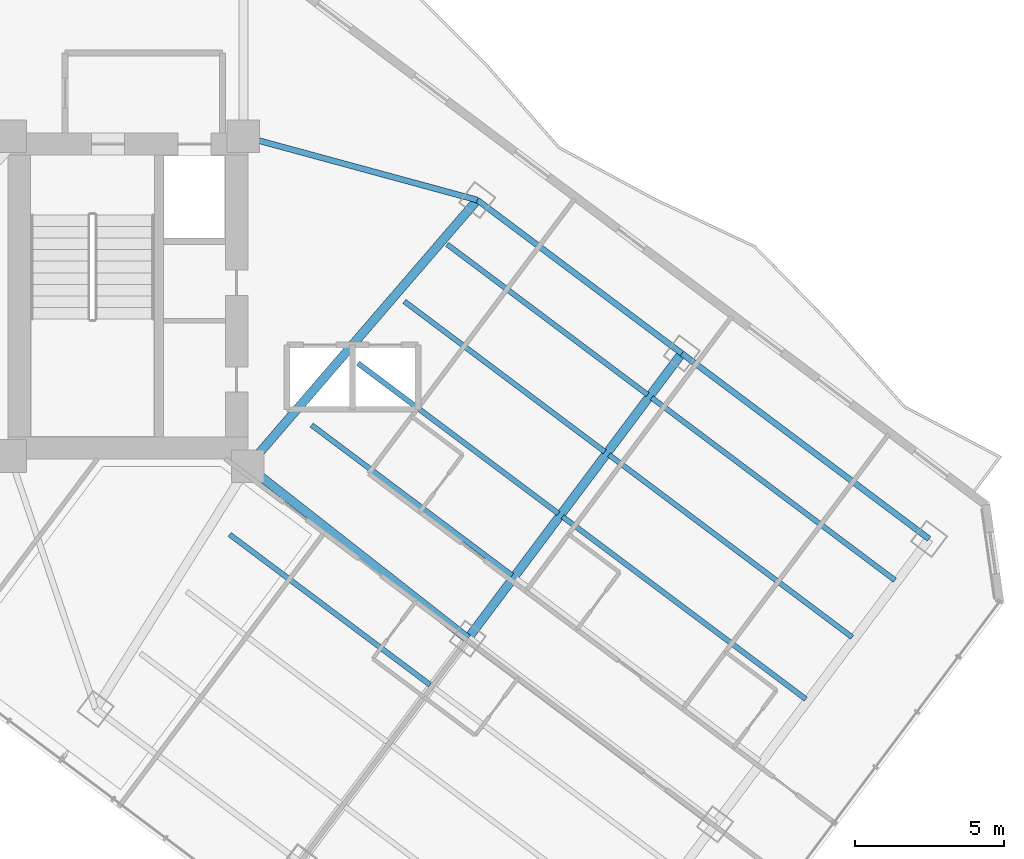
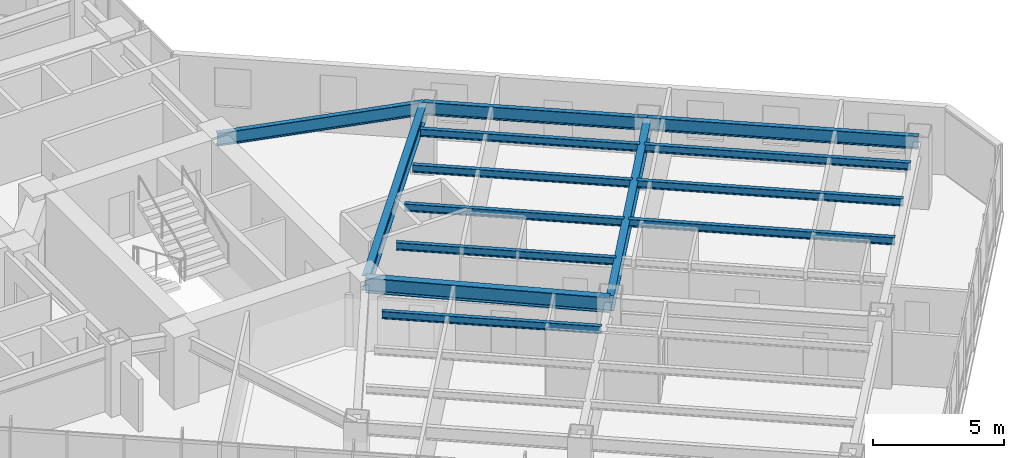
# One storey, part 17 of 36: 14 beams.
"""IFC4 building model written with IfcOpenShell, lengths in metres."""

from ifc_helpers import new_model, si_unit, direction, frame, origin, origin_2d, place, context, subcontext, project, spatial, i_section, extrude, material, material_profile, profile_set, type_object, element, save


model = new_model("IFC4")

# Units and contexts
model_context = context("Model", 3, precision=1e-05, world=origin(), true_north=direction((0.0, 1.0)))
body_context = subcontext(model_context, "Body", "Model", "MODEL_VIEW")
ifc_project = project(units=[si_unit("LENGTHUNIT", "METRE"), si_unit("AREAUNIT", "SQUARE_METRE"), si_unit("VOLUMEUNIT", "CUBIC_METRE"), si_unit("PLANEANGLEUNIT", "RADIAN"), si_unit("MASSUNIT", "GRAM", prefix="KILO")], contexts=[model_context])

# Site, building, storey
site_placement = place(None, origin())
site = spatial("IfcSite", under=ifc_project, at=site_placement, CompositionType="ELEMENT")
building_placement = place(site_placement, origin())
building = spatial("IfcBuilding", under=site, at=building_placement, Name="Hatsunagi Terrace Concourse", CompositionType="ELEMENT")
storey_placement = place(building_placement, frame((0.0, 0.0, 84.64990234375)))
storey = spatial("IfcBuildingStorey", under=building, at=storey_placement, Name="L22", CompositionType="ELEMENT", Elevation=84.64990234375)

# Beams
ifc_material_1 = material(Name="Steel SN490B", Category="steel")
ifc_material_profile_1 = material_profile(ifc_material_1, i_section(OverallWidth=0.300048828125, OverallDepth=0.699951171875, WebThickness=0.012939453125, FlangeThickness=0.02392578125, FilletRadius=0.02197265625, at=origin_2d()), Name="H-700x300x13x24")
ifc_profile_set_1 = profile_set([ifc_material_profile_1], Name="Steel SN490B")
beam_type_1 = type_object("IfcBeamType", Name="HotelFloorGirder_H_700x300", PredefinedType="BEAM", material=ifc_profile_set_1)
beam_1_placement = place(storey_placement, frame((43.800048828125, 24.199951171875, 2.780029296875), z_axis=(0.652739101421, 0.757582777969, 0.0), x_axis=(-0.757582777969, 0.652739101421, 0.0)))
element("IfcBeam", 1, at=beam_1_placement, inside=storey, type_object=beam_type_1, Name="Beam G-04 BM-L22-SET-1B", PredefinedType="BEAM", context=body_context, shape_type="SweptSolid", body=[
    extrude(i_section(OverallWidth=0.300048828125, OverallDepth=0.699951171875, WebThickness=0.012939453125, FlangeThickness=0.02392578125, FilletRadius=0.02197265625, at=origin_2d()), origin(), (0.0, 0.0, 1.0), 11.8271484375),
])
beam_2_placement = place(storey_placement, frame((43.800048828125, 24.199951171875, 2.780029296875), z_axis=(0.787049441068, -0.616889923175, 0.0), x_axis=(0.616889923175, 0.787049441068, 0.0)))
element("IfcBeam", 2, at=beam_2_placement, inside=storey, type_object=beam_type_1, Name="Beam G-04 BM-L22-SE-M2", PredefinedType="BEAM", context=body_context, shape_type="SweptSolid", body=[
    extrude(i_section(OverallWidth=0.300048828125, OverallDepth=0.699951171875, WebThickness=0.012939453125, FlangeThickness=0.02392578125, FilletRadius=0.02197265625, at=origin_2d()), origin(), (0.0, 0.0, 1.0), 9.402099609375),
])
beam_3_placement = place(storey_placement, frame((51.199951171875, 18.39990234375, 2.780029296875), z_axis=(0.59999348959, 0.800004882766, 0.0), x_axis=(-0.800004882766, 0.59999348959, 0.0)))
element("IfcBeam", 3, at=beam_3_placement, inside=storey, type_object=beam_type_1, Name="Beam G-04 BM-L22-SET-2B", PredefinedType="BEAM", context=body_context, shape_type="SweptSolid", body=[
    extrude(i_section(OverallWidth=0.300048828125, OverallDepth=0.699951171875, WebThickness=0.012939453125, FlangeThickness=0.02392578125, FilletRadius=0.02197265625, at=origin_2d()), origin(), (0.0, 0.0, 1.0), 12.0),
])
ifc_material_2 = material(Name="Steel SN490B", Category="steel")
ifc_material_profile_2 = material_profile(ifc_material_2, i_section(OverallWidth=0.175048828125, OverallDepth=0.35009765625, WebThickness=0.007080078125, FlangeThickness=0.010986328125, FilletRadius=0.012939453125, at=origin_2d()), Name="H-350x175x7x11")
ifc_profile_set_2 = profile_set([ifc_material_profile_2], Name="Steel SN490B")
beam_type_2 = type_object("IfcBeamType", Name="HotelJoist_H_350x175", PredefinedType="JOIST", material=ifc_profile_set_2)
for number, where, z_axis, x_axis, name in (
    (4, (43.18798828125, 21.908935546875, 2.955078125), (0.800003475366, -0.59999536615, 0.0), (0.59999536615, 0.800003475366, 0.0), "Beam J-02 J-L22-SE-2-96"),
    (5, (45.947998046875, 25.589111328125, 2.955078125), (0.799989573921, -0.600013901187, 0.0), (0.600013901187, 0.799989573921, 0.0), "Beam J-02 J-L22-SE-2-142"),
    (6, (47.508056640625, 27.6689453125, 2.955078125), (0.800003475366, -0.59999536615, 0.0), (0.59999536615, 0.800003475366, 0.0), "Beam J-02 J-L22-SE-2-168"),
    (7, (49.068115234375, 29.7490234375, 2.955078125), (0.799989573921, -0.600013901187, 0.0), (0.600013901187, 0.799989573921, 0.0), "Beam J-02 J-L22-SE-2-194"),
    (8, (50.508056640625, 31.6689453125, 2.955078125), (0.800003475366, -0.59999536615, 0.0), (0.59999536615, 0.800003475366, 0.0), "Beam J-02 J-L22-SE-2-218"),
):
    element("IfcBeam", number, at=place(storey_placement, frame(where, z_axis=z_axis, x_axis=x_axis)), inside=storey, type_object=beam_type_2, Name=name, PredefinedType="JOIST", context=body_context, shape_type="SweptSolid", body=[
        extrude(i_section(OverallWidth=0.175048828125, OverallDepth=0.35009765625, WebThickness=0.007080078125, FlangeThickness=0.010986328125, FilletRadius=0.012939453125, at=origin_2d()), origin(), (0.0, 0.0, 1.0), 8.429931640625),
    ])
beam_4_placement = place(storey_placement, frame((54.387939453125, 22.509033203125, 2.955078125), z_axis=(0.800005727586, -0.599992363142, 0.0), x_axis=(0.599992363142, 0.800005727586, 0.0)))
element("IfcBeam", 9, at=beam_4_placement, inside=storey, type_object=beam_type_2, Name="Beam J-02 J-L22-SE-3-168", PredefinedType="JOIST", context=body_context, shape_type="SweptSolid", body=[
    extrude(i_section(OverallWidth=0.175048828125, OverallDepth=0.35009765625, WebThickness=0.007080078125, FlangeThickness=0.010986328125, FilletRadius=0.012939453125, at=origin_2d()), origin(), (0.0, 0.0, 1.0), 10.22998046875),
])
beam_5_placement = place(storey_placement, frame((55.947998046875, 24.589111328125, 2.955078125), z_axis=(0.799994272423, -0.600007636694, 0.0), x_axis=(0.600007636694, 0.799994272423, 0.0)))
element("IfcBeam", 10, at=beam_5_placement, inside=storey, type_object=beam_type_2, Name="Beam J-02 J-L22-SE-3-194", PredefinedType="JOIST", context=body_context, shape_type="SweptSolid", body=[
    extrude(i_section(OverallWidth=0.175048828125, OverallDepth=0.35009765625, WebThickness=0.007080078125, FlangeThickness=0.010986328125, FilletRadius=0.012939453125, at=origin_2d()), origin(), (0.0, 0.0, 1.0), 10.230224609375),
])
beam_6_placement = place(storey_placement, frame((57.387939453125, 26.509033203125, 2.955078125), z_axis=(0.800005727586, -0.599992363142, 0.0), x_axis=(0.599992363142, 0.800005727586, 0.0)))
element("IfcBeam", 11, at=beam_6_placement, inside=storey, type_object=beam_type_2, Name="Beam J-02 J-L22-SE-3-218", PredefinedType="JOIST", context=body_context, shape_type="SweptSolid", body=[
    extrude(i_section(OverallWidth=0.175048828125, OverallDepth=0.35009765625, WebThickness=0.007080078125, FlangeThickness=0.010986328125, FilletRadius=0.012939453125, at=origin_2d()), origin(), (0.0, 0.0, 1.0), 10.22998046875),
])
ifc_material_3 = material(Name="Steel SN490B", Category="steel")
ifc_material_profile_3 = material_profile(ifc_material_3, i_section(OverallWidth=0.199951171875, OverallDepth=0.60009765625, WebThickness=0.010986328125, FlangeThickness=0.01708984375, FilletRadius=0.01806640625, at=origin_2d()), Name="H-600x200x11x17")
ifc_profile_set_3 = profile_set([ifc_material_profile_3], Name="Steel SN490B")
beam_type_3 = type_object("IfcBeamType", Name="PerimeterSpandrel_H_600x200", PredefinedType="SPANDREL", material=ifc_profile_set_3)
beam_7_placement = place(storey_placement, frame((43.64990234375, 35.300048828125, 2.830078125), z_axis=(0.964958359286, -0.262403057994, 0.0), x_axis=(0.262403057994, 0.964958359286, 0.0)))
element("IfcBeam", 12, at=beam_7_placement, inside=storey, type_object=beam_type_3, Name="Beam SP-01 BM-L22-SE-NE0", PredefinedType="SPANDREL", context=body_context, shape_type="SweptSolid", body=[
    extrude(i_section(OverallWidth=0.199951171875, OverallDepth=0.60009765625, WebThickness=0.010986328125, FlangeThickness=0.01708984375, FilletRadius=0.01806640625, at=origin_2d()), origin(), (0.0, 0.0, 1.0), 8.156005859375),
])
beam_8_placement = place(storey_placement, frame((51.52001953125, 33.159912109375, 2.830078125), z_axis=(0.8, -0.6, 0.0), x_axis=(0.6, 0.8, 0.0)))
element("IfcBeam", 13, at=beam_8_placement, inside=storey, type_object=beam_type_3, Name="Beam SP-01 BM-L22-SE-NE2", PredefinedType="SPANDREL", context=body_context, shape_type="SweptSolid", body=[
    extrude(i_section(OverallWidth=0.199951171875, OverallDepth=0.60009765625, WebThickness=0.010986328125, FlangeThickness=0.01708984375, FilletRadius=0.01806640625, at=origin_2d()), origin(), (0.0, 0.0, 1.0), 8.599853515625),
])
beam_9_placement = place(storey_placement, frame((58.39990234375, 28.0, 2.830078125), z_axis=(0.800002816985, -0.599996244001, 0.0), x_axis=(0.599996244001, 0.800002816985, 0.0)))
element("IfcBeam", 14, at=beam_9_placement, inside=storey, type_object=beam_type_3, Name="Beam SP-01 BM-L22-SE-NE3", PredefinedType="SPANDREL", context=body_context, shape_type="SweptSolid", body=[
    extrude(i_section(OverallWidth=0.199951171875, OverallDepth=0.60009765625, WebThickness=0.010986328125, FlangeThickness=0.01708984375, FilletRadius=0.01806640625, at=origin_2d()), origin(), (0.0, 0.0, 1.0), 10.400146484375),
])

save(model, "model.ifc")
